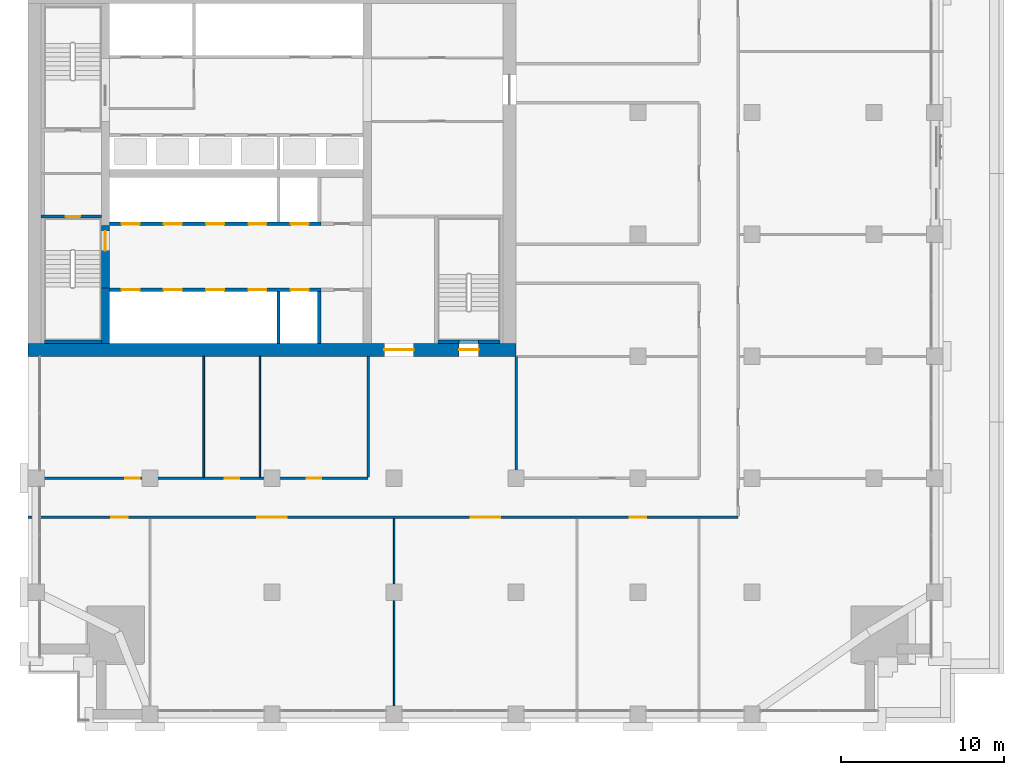
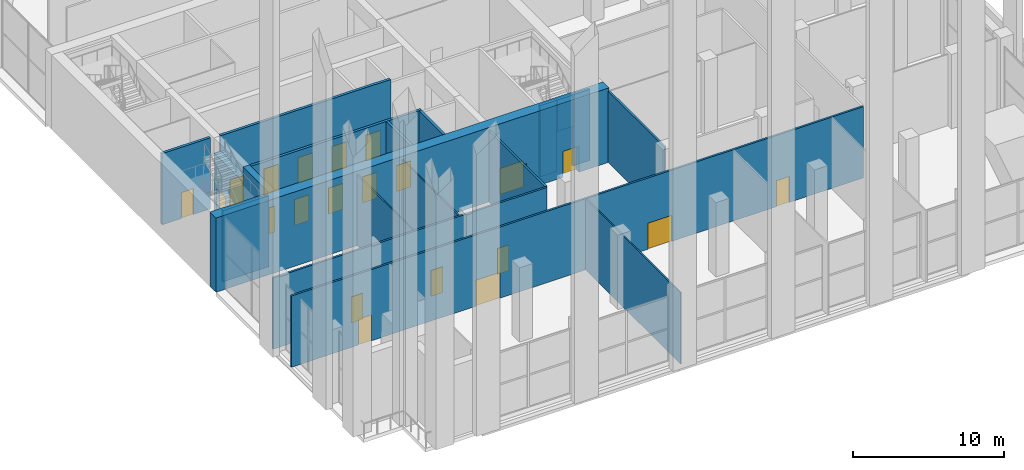
# One storey, part 12 of 23: 21 doors, 19 walls, 21 openings.
"""IFC4 building model written with IfcOpenShell, lengths in metres."""

from ifc_helpers import new_model, si_unit, direction, frame, frame_2d, origin, place, context, subcontext, project, spatial, rectangle, extrude, material, layer, layer_set, type_object, element, fill, save


model = new_model("IFC4")

# Units and contexts
model_context = context("Model", 3, precision=1e-05, world=origin(), true_north=direction((0.0, 1.0)))
body_context = subcontext(model_context, "Body", "Model", "MODEL_VIEW")
ifc_project = project(units=[si_unit("LENGTHUNIT", "METRE"), si_unit("AREAUNIT", "SQUARE_METRE"), si_unit("VOLUMEUNIT", "CUBIC_METRE"), si_unit("PLANEANGLEUNIT", "RADIAN"), si_unit("MASSUNIT", "GRAM", prefix="KILO")], contexts=[model_context])

# Site, building, storey
site_placement = place(None, origin())
site = spatial("IfcSite", under=ifc_project, at=site_placement, CompositionType="ELEMENT")
building_placement = place(site_placement, origin())
building = spatial("IfcBuilding", under=site, at=building_placement, Name="Tamorin Gate", CompositionType="ELEMENT")
storey_placement = place(building_placement, frame((0.0, 0.0, 124.199951171875)))
storey = spatial("IfcBuildingStorey", under=building, at=storey_placement, Name="L30", CompositionType="ELEMENT", Elevation=124.199951171875)

# Wall, openings, doors
ifc_material_1 = material(Name="Gypsum board partition")
ifc_layer_1 = layer(ifc_material_1, 0.14990234375)
ifc_layer_set_1 = layer_set([ifc_layer_1], Name="Corridor wall 150")
wall_type_1 = type_object("IfcWallType", Name="Corridor wall 150", PredefinedType="PARTITIONING", material=ifc_layer_set_1)
wall_1_placement = place(storey_placement, frame((30.0, 50.10009765625, 0.0), z_axis=(0.0, 0.0, 1.0), x_axis=(1.0, 0.0, 0.0)))
wall_1 = element("IfcWall", 1, at=wall_1_placement, inside=storey, type_object=wall_type_1, Name="Corridor wall 150", PredefinedType="PARTITIONING", context=body_context, shape_type="SweptSolid", body=[
    extrude(rectangle(XDim=43.64990234375, YDim=0.14990234375, at=frame_2d((21.824951171875, 0.0))), origin(), (0.0, 0.0, 1.0), 5.75),
])
opening_1_placement = place(wall_1_placement, frame((5.125, 0.0, 0.0)))
opening_1 = element("IfcOpeningElement", 2, at=opening_1_placement, cuts=wall_1, Name="Opening DSL1001", PredefinedType="OPENING", context=body_context, shape_type="SweptSolid", body=[
    extrude(rectangle(XDim=1.0, YDim=2.10009765625, at=frame_2d((0.5, 1.050048828125))), frame((0.0, 0.0849609375, 0.0), z_axis=(0.0, -1.0, 0.0), x_axis=(1.0, 0.0, 0.0)), (0.0, 0.0, 1.0), 0.169921875),
])
opening_2_placement = place(wall_1_placement, frame((14.10009765625, 0.0, 0.0)))
opening_2 = element("IfcOpeningElement", 3, at=opening_2_placement, cuts=wall_1, Name="Opening DSL1002", PredefinedType="OPENING", context=body_context, shape_type="SweptSolid", body=[
    extrude(rectangle(XDim=1.800048828125, YDim=2.10009765625, at=frame_2d((0.89990234375, 1.050048828125))), frame((0.0, 0.0849609375, 0.0), z_axis=(0.0, -1.0, 0.0), x_axis=(1.0, 0.0, 0.0)), (0.0, 0.0, 1.0), 0.169921875),
])
opening_3_placement = place(wall_1_placement, frame((27.22509765625, 0.0, 0.0)))
opening_3 = element("IfcOpeningElement", 4, at=opening_3_placement, cuts=wall_1, Name="Opening DSL1003", PredefinedType="OPENING", context=body_context, shape_type="SweptSolid", body=[
    extrude(rectangle(XDim=1.800048828125, YDim=2.10009765625, at=frame_2d((0.89990234375, 1.050048828125))), frame((0.0, 0.0849609375, 0.0), z_axis=(0.0, -1.0, 0.0), x_axis=(1.0, 0.0, 0.0)), (0.0, 0.0, 1.0), 0.169921875),
])
opening_4_placement = place(wall_1_placement, frame((37.0, 0.0, 0.0)))
opening_4 = element("IfcOpeningElement", 5, at=opening_4_placement, cuts=wall_1, Name="Opening DSL1004", PredefinedType="OPENING", context=body_context, shape_type="SweptSolid", body=[
    extrude(rectangle(XDim=1.0, YDim=2.10009765625, at=frame_2d((0.5, 1.050048828125))), frame((0.0, 0.0849609375, 0.0), z_axis=(0.0, -1.0, 0.0), x_axis=(1.0, 0.0, 0.0)), (0.0, 0.0, 1.0), 0.169921875),
])
ifc_material_2 = material(Name="Timber door leaf", Category="wood")
door_type_1 = type_object("IfcDoorType", Name="Door 1000 x 2100 FD30S", OperationType="NOTDEFINED", PredefinedType="DOOR", material=ifc_material_2)
door_1_placement = place(opening_1_placement, origin())
door_1 = element("IfcDoor", 6, at=door_1_placement, inside=storey, type_object=door_type_1, Name="Door DSL1001", OperationType="SINGLE_SWING_RIGHT", OverallHeight=2.10009765625, OverallWidth=1.0, PredefinedType="DOOR", context=body_context, shape_type="SweptSolid", body=[
    extrude(rectangle(XDim=1.0, YDim=2.10009765625, at=frame_2d((0.5, 1.050048828125))), frame((0.0, 0.02490234375, 0.0), z_axis=(0.0, -1.0, 0.0), x_axis=(1.0, 0.0, 0.0)), (0.0, 0.0, 1.0), 0.050048828125),
])
fill(opening_1, door_1)
door_2_placement = place(opening_4_placement, origin())
door_2 = element("IfcDoor", 7, at=door_2_placement, inside=storey, type_object=door_type_1, Name="Door DSL1004", OperationType="SINGLE_SWING_RIGHT", OverallHeight=2.10009765625, OverallWidth=1.0, PredefinedType="DOOR", context=body_context, shape_type="SweptSolid", body=[
    extrude(rectangle(XDim=1.0, YDim=2.10009765625, at=frame_2d((0.5, 1.050048828125))), frame((0.0, 0.02490234375, 0.0), z_axis=(0.0, -1.0, 0.0), x_axis=(1.0, 0.0, 0.0)), (0.0, 0.0, 1.0), 0.050048828125),
])
fill(opening_4, door_2)
door_type_2 = type_object("IfcDoorType", Name="Door 1800 x 2100 FD30S", OperationType="DOUBLE_DOOR_SINGLE_SWING", PredefinedType="DOOR", material=ifc_material_2)
door_3_placement = place(opening_2_placement, origin())
door_3 = element("IfcDoor", 8, at=door_3_placement, inside=storey, type_object=door_type_2, Name="Door DSL1002", OperationType="DOUBLE_DOOR_SINGLE_SWING", OverallHeight=2.10009765625, OverallWidth=1.800048828125, PredefinedType="DOOR", context=body_context, shape_type="SweptSolid", body=[
    extrude(rectangle(XDim=1.800048828125, YDim=2.10009765625, at=frame_2d((0.89990234375, 1.050048828125))), frame((0.0, 0.02490234375, 0.0), z_axis=(0.0, -1.0, 0.0), x_axis=(1.0, 0.0, 0.0)), (0.0, 0.0, 1.0), 0.050048828125),
])
fill(opening_2, door_3)
door_4_placement = place(opening_3_placement, origin())
door_4 = element("IfcDoor", 9, at=door_4_placement, inside=storey, type_object=door_type_2, Name="Door DSL1003", OperationType="DOUBLE_DOOR_SINGLE_SWING", OverallHeight=2.10009765625, OverallWidth=1.800048828125, PredefinedType="DOOR", context=body_context, shape_type="SweptSolid", body=[
    extrude(rectangle(XDim=1.800048828125, YDim=2.10009765625, at=frame_2d((0.89990234375, 1.050048828125))), frame((0.0, 0.02490234375, 0.0), z_axis=(0.0, -1.0, 0.0), x_axis=(1.0, 0.0, 0.0)), (0.0, 0.0, 1.0), 0.050048828125),
])
fill(opening_3, door_4)

wall_2_placement = place(storey_placement, frame((30.0, 52.5, 0.0), z_axis=(0.0, 0.0, 1.0), x_axis=(1.0, 0.0, 0.0)))
wall_2 = element("IfcWall", 10, at=wall_2_placement, inside=storey, type_object=wall_type_1, Name="Corridor wall 150", PredefinedType="PARTITIONING", context=body_context, shape_type="SweptSolid", body=[
    extrude(rectangle(XDim=20.89990234375, YDim=0.14990234375, at=frame_2d((10.449951171875, 0.0))), origin(), (0.0, 0.0, 1.0), 5.75),
])
opening_5_placement = place(wall_2_placement, frame((5.97509765625, 0.0, 0.0)))
opening_5 = element("IfcOpeningElement", 11, at=opening_5_placement, cuts=wall_2, Name="Opening DSL1015", PredefinedType="OPENING", context=body_context, shape_type="SweptSolid", body=[
    extrude(rectangle(XDim=0.89990234375, YDim=2.10009765625, at=frame_2d((0.449951171875, 1.050048828125))), frame((0.0, 0.0849609375, 0.0), z_axis=(0.0, -1.0, 0.0), x_axis=(1.0, 0.0, 0.0)), (0.0, 0.0, 1.0), 0.169921875),
])
opening_6_placement = place(wall_2_placement, frame((12.074951171875, 0.0, 0.0)))
opening_6 = element("IfcOpeningElement", 12, at=opening_6_placement, cuts=wall_2, Name="Opening DSL1016", PredefinedType="OPENING", context=body_context, shape_type="SweptSolid", body=[
    extrude(rectangle(XDim=0.89990234375, YDim=2.10009765625, at=frame_2d((0.449951171875, 1.050048828125))), frame((0.0, 0.0849609375, 0.0), z_axis=(0.0, -1.0, 0.0), x_axis=(1.0, 0.0, 0.0)), (0.0, 0.0, 1.0), 0.169921875),
])
opening_7_placement = place(wall_2_placement, frame((17.125, 0.0, 0.0)))
opening_7 = element("IfcOpeningElement", 13, at=opening_7_placement, cuts=wall_2, Name="Opening DSL1017", PredefinedType="OPENING", context=body_context, shape_type="SweptSolid", body=[
    extrude(rectangle(XDim=0.89990234375, YDim=2.10009765625, at=frame_2d((0.449951171875, 1.050048828125))), frame((0.0, 0.0849609375, 0.0), z_axis=(0.0, -1.0, 0.0), x_axis=(1.0, 0.0, 0.0)), (0.0, 0.0, 1.0), 0.169921875),
])
door_type_3 = type_object("IfcDoorType", Name="Door 900 x 2100 FD30S", OperationType="NOTDEFINED", PredefinedType="DOOR", material=ifc_material_2)
door_5_placement = place(opening_5_placement, origin())
door_5 = element("IfcDoor", 14, at=door_5_placement, inside=storey, type_object=door_type_3, Name="Door DSL1015", OperationType="SINGLE_SWING_LEFT", OverallHeight=2.10009765625, OverallWidth=0.89990234375, PredefinedType="DOOR", context=body_context, shape_type="SweptSolid", body=[
    extrude(rectangle(XDim=0.89990234375, YDim=2.10009765625, at=frame_2d((0.449951171875, 1.050048828125))), frame((0.0, 0.02490234375, 0.0), z_axis=(0.0, -1.0, 0.0), x_axis=(1.0, 0.0, 0.0)), (0.0, 0.0, 1.0), 0.050048828125),
])
fill(opening_5, door_5)
door_6_placement = place(opening_6_placement, origin())
door_6 = element("IfcDoor", 15, at=door_6_placement, inside=storey, type_object=door_type_3, Name="Door DSL1016", OperationType="SINGLE_SWING_LEFT", OverallHeight=2.10009765625, OverallWidth=0.89990234375, PredefinedType="DOOR", context=body_context, shape_type="SweptSolid", body=[
    extrude(rectangle(XDim=0.89990234375, YDim=2.10009765625, at=frame_2d((0.449951171875, 1.050048828125))), frame((0.0, 0.02490234375, 0.0), z_axis=(0.0, -1.0, 0.0), x_axis=(1.0, 0.0, 0.0)), (0.0, 0.0, 1.0), 0.050048828125),
])
fill(opening_6, door_6)
door_7_placement = place(opening_7_placement, origin())
door_7 = element("IfcDoor", 16, at=door_7_placement, inside=storey, type_object=door_type_3, Name="Door DSL1017", OperationType="SINGLE_SWING_LEFT", OverallHeight=2.10009765625, OverallWidth=0.89990234375, PredefinedType="DOOR", context=body_context, shape_type="SweptSolid", body=[
    extrude(rectangle(XDim=0.89990234375, YDim=2.10009765625, at=frame_2d((0.449951171875, 1.050048828125))), frame((0.0, 0.02490234375, 0.0), z_axis=(0.0, -1.0, 0.0), x_axis=(1.0, 0.0, 0.0)), (0.0, 0.0, 1.0), 0.050048828125),
])
fill(opening_7, door_7)

ifc_material_3 = material(Name="Concrete C32/40", Category="concrete")
ifc_layer_2 = layer(ifc_material_3, 0.199951171875)
ifc_layer_set_2 = layer_set([ifc_layer_2], Name="Lift lobby face wall 200 EI 120")
wall_type_2 = type_object("IfcWallType", Name="Lift lobby face wall 200 EI 120", PredefinedType="SOLIDWALL", material=ifc_layer_set_2)
wall_3_placement = place(storey_placement, frame((35.0, 64.10009765625, 0.0), z_axis=(0.0, 0.0, 1.0), x_axis=(1.0, 0.0, 0.0)))
wall_3 = element("IfcWall", 17, at=wall_3_placement, inside=storey, type_object=wall_type_2, Name="Lift lobby face wall", PredefinedType="SOLIDWALL", context=body_context, shape_type="SweptSolid", body=[
    extrude(rectangle(XDim=13.0, YDim=0.199951171875, at=frame_2d((6.5, 0.0))), origin(), (0.0, 0.0, 1.0), 6.0),
])
opening_8_placement = place(wall_3_placement, frame((0.75, 0.0, 0.0)))
opening_8 = element("IfcOpeningElement", 18, at=opening_8_placement, cuts=wall_3, Name="Opening LD1", PredefinedType="OPENING", context=body_context, shape_type="SweptSolid", body=[
    extrude(rectangle(XDim=1.10009765625, YDim=2.10009765625, at=frame_2d((0.550048828125, 1.050048828125))), frame((0.0, 0.10986328125, 0.0), z_axis=(0.0, -1.0, 0.0), x_axis=(1.0, 0.0, 0.0)), (0.0, 0.0, 1.0), 0.219970703125),
])
opening_9_placement = place(wall_3_placement, frame((3.35009765625, 0.0, 0.0)))
opening_9 = element("IfcOpeningElement", 19, at=opening_9_placement, cuts=wall_3, Name="Opening LD2", PredefinedType="OPENING", context=body_context, shape_type="SweptSolid", body=[
    extrude(rectangle(XDim=1.10009765625, YDim=2.10009765625, at=frame_2d((0.550048828125, 1.050048828125))), frame((0.0, 0.10986328125, 0.0), z_axis=(0.0, -1.0, 0.0), x_axis=(1.0, 0.0, 0.0)), (0.0, 0.0, 1.0), 0.219970703125),
])
opening_10_placement = place(wall_3_placement, frame((5.949951171875, 0.0, 0.0)))
opening_10 = element("IfcOpeningElement", 20, at=opening_10_placement, cuts=wall_3, Name="Opening LD3", PredefinedType="OPENING", context=body_context, shape_type="SweptSolid", body=[
    extrude(rectangle(XDim=1.10009765625, YDim=2.10009765625, at=frame_2d((0.550048828125, 1.050048828125))), frame((0.0, 0.10986328125, 0.0), z_axis=(0.0, -1.0, 0.0), x_axis=(1.0, 0.0, 0.0)), (0.0, 0.0, 1.0), 0.219970703125),
])
opening_11_placement = place(wall_3_placement, frame((8.550048828125, 0.0, 0.0)))
opening_11 = element("IfcOpeningElement", 21, at=opening_11_placement, cuts=wall_3, Name="Opening LD4", PredefinedType="OPENING", context=body_context, shape_type="SweptSolid", body=[
    extrude(rectangle(XDim=1.10009765625, YDim=2.10009765625, at=frame_2d((0.550048828125, 1.050048828125))), frame((0.0, 0.10986328125, 0.0), z_axis=(0.0, -1.0, 0.0), x_axis=(1.0, 0.0, 0.0)), (0.0, 0.0, 1.0), 0.219970703125),
])
opening_12_placement = place(wall_3_placement, frame((11.14990234375, 0.0, 0.0)))
opening_12 = element("IfcOpeningElement", 22, at=opening_12_placement, cuts=wall_3, Name="Opening LD5", PredefinedType="OPENING", context=body_context, shape_type="SweptSolid", body=[
    extrude(rectangle(XDim=1.10009765625, YDim=2.10009765625, at=frame_2d((0.550048828125, 1.050048828125))), frame((0.0, 0.10986328125, 0.0), z_axis=(0.0, -1.0, 0.0), x_axis=(1.0, 0.0, 0.0)), (0.0, 0.0, 1.0), 0.219970703125),
])
ifc_material_4 = material(Name="Stainless steel sliding door", Category="steel")
door_type_4 = type_object("IfcDoorType", Name="Lift landing door 1100 x 2100 E 90", OperationType="DOUBLE_DOOR_SLIDING", PredefinedType="DOOR", material=ifc_material_4)
door_8_placement = place(opening_8_placement, origin())
door_8 = element("IfcDoor", 23, at=door_8_placement, inside=storey, type_object=door_type_4, Name="LR1 landing door", OperationType="DOUBLE_DOOR_SLIDING", OverallHeight=2.10009765625, OverallWidth=1.10009765625, PredefinedType="DOOR", context=body_context, shape_type="SweptSolid", body=[
    extrude(rectangle(XDim=1.10009765625, YDim=2.10009765625, at=frame_2d((0.550048828125, 1.050048828125))), frame((0.0, 0.02490234375, 0.0), z_axis=(0.0, -1.0, 0.0), x_axis=(1.0, 0.0, 0.0)), (0.0, 0.0, 1.0), 0.050048828125),
])
fill(opening_8, door_8)
door_9_placement = place(opening_9_placement, origin())
door_9 = element("IfcDoor", 24, at=door_9_placement, inside=storey, type_object=door_type_4, Name="LR2 landing door", OperationType="DOUBLE_DOOR_SLIDING", OverallHeight=2.10009765625, OverallWidth=1.10009765625, PredefinedType="DOOR", context=body_context, shape_type="SweptSolid", body=[
    extrude(rectangle(XDim=1.10009765625, YDim=2.10009765625, at=frame_2d((0.550048828125, 1.050048828125))), frame((0.0, 0.02490234375, 0.0), z_axis=(0.0, -1.0, 0.0), x_axis=(1.0, 0.0, 0.0)), (0.0, 0.0, 1.0), 0.050048828125),
])
fill(opening_9, door_9)
door_10_placement = place(opening_10_placement, origin())
door_10 = element("IfcDoor", 25, at=door_10_placement, inside=storey, type_object=door_type_4, Name="LR3 landing door", OperationType="DOUBLE_DOOR_SLIDING", OverallHeight=2.10009765625, OverallWidth=1.10009765625, PredefinedType="DOOR", context=body_context, shape_type="SweptSolid", body=[
    extrude(rectangle(XDim=1.10009765625, YDim=2.10009765625, at=frame_2d((0.550048828125, 1.050048828125))), frame((0.0, 0.02490234375, 0.0), z_axis=(0.0, -1.0, 0.0), x_axis=(1.0, 0.0, 0.0)), (0.0, 0.0, 1.0), 0.050048828125),
])
fill(opening_10, door_10)
door_11_placement = place(opening_11_placement, origin())
door_11 = element("IfcDoor", 26, at=door_11_placement, inside=storey, type_object=door_type_4, Name="LR4 landing door", OperationType="DOUBLE_DOOR_SLIDING", OverallHeight=2.10009765625, OverallWidth=1.10009765625, PredefinedType="DOOR", context=body_context, shape_type="SweptSolid", body=[
    extrude(rectangle(XDim=1.10009765625, YDim=2.10009765625, at=frame_2d((0.550048828125, 1.050048828125))), frame((0.0, 0.02490234375, 0.0), z_axis=(0.0, -1.0, 0.0), x_axis=(1.0, 0.0, 0.0)), (0.0, 0.0, 1.0), 0.050048828125),
])
fill(opening_11, door_11)
door_12_placement = place(opening_12_placement, origin())
door_12 = element("IfcDoor", 27, at=door_12_placement, inside=storey, type_object=door_type_4, Name="LR5 landing door", OperationType="DOUBLE_DOOR_SLIDING", OverallHeight=2.10009765625, OverallWidth=1.10009765625, PredefinedType="DOOR", context=body_context, shape_type="SweptSolid", body=[
    extrude(rectangle(XDim=1.10009765625, YDim=2.10009765625, at=frame_2d((0.550048828125, 1.050048828125))), frame((0.0, 0.02490234375, 0.0), z_axis=(0.0, -1.0, 0.0), x_axis=(1.0, 0.0, 0.0)), (0.0, 0.0, 1.0), 0.050048828125),
])
fill(opening_12, door_12)

wall_4_placement = place(storey_placement, frame((35.0, 68.14990234375, 0.0), z_axis=(0.0, 0.0, 1.0), x_axis=(1.0, 0.0, 0.0)))
wall_4 = element("IfcWall", 28, at=wall_4_placement, inside=storey, type_object=wall_type_2, Name="Lift lobby face wall", PredefinedType="SOLIDWALL", context=body_context, shape_type="SweptSolid", body=[
    extrude(rectangle(XDim=13.0, YDim=0.199951171875, at=frame_2d((6.5, 0.0))), origin(), (0.0, 0.0, 1.0), 6.0),
])
opening_13_placement = place(wall_4_placement, frame((0.75, 0.0, 0.0)))
opening_13 = element("IfcOpeningElement", 29, at=opening_13_placement, cuts=wall_4, Name="Opening LD6", PredefinedType="OPENING", context=body_context, shape_type="SweptSolid", body=[
    extrude(rectangle(XDim=1.10009765625, YDim=2.10009765625, at=frame_2d((0.550048828125, 1.050048828125))), frame((0.0, 0.10986328125, 0.0), z_axis=(0.0, -1.0, 0.0), x_axis=(1.0, 0.0, 0.0)), (0.0, 0.0, 1.0), 0.219970703125),
])
opening_14_placement = place(wall_4_placement, frame((3.35009765625, 0.0, 0.0)))
opening_14 = element("IfcOpeningElement", 30, at=opening_14_placement, cuts=wall_4, Name="Opening LD7", PredefinedType="OPENING", context=body_context, shape_type="SweptSolid", body=[
    extrude(rectangle(XDim=1.10009765625, YDim=2.10009765625, at=frame_2d((0.550048828125, 1.050048828125))), frame((0.0, 0.10986328125, 0.0), z_axis=(0.0, -1.0, 0.0), x_axis=(1.0, 0.0, 0.0)), (0.0, 0.0, 1.0), 0.219970703125),
])
opening_15_placement = place(wall_4_placement, frame((5.949951171875, 0.0, 0.0)))
opening_15 = element("IfcOpeningElement", 31, at=opening_15_placement, cuts=wall_4, Name="Opening LD8", PredefinedType="OPENING", context=body_context, shape_type="SweptSolid", body=[
    extrude(rectangle(XDim=1.10009765625, YDim=2.10009765625, at=frame_2d((0.550048828125, 1.050048828125))), frame((0.0, 0.10986328125, 0.0), z_axis=(0.0, -1.0, 0.0), x_axis=(1.0, 0.0, 0.0)), (0.0, 0.0, 1.0), 0.219970703125),
])
opening_16_placement = place(wall_4_placement, frame((8.550048828125, 0.0, 0.0)))
opening_16 = element("IfcOpeningElement", 32, at=opening_16_placement, cuts=wall_4, Name="Opening LD9", PredefinedType="OPENING", context=body_context, shape_type="SweptSolid", body=[
    extrude(rectangle(XDim=1.10009765625, YDim=2.10009765625, at=frame_2d((0.550048828125, 1.050048828125))), frame((0.0, 0.10986328125, 0.0), z_axis=(0.0, -1.0, 0.0), x_axis=(1.0, 0.0, 0.0)), (0.0, 0.0, 1.0), 0.219970703125),
])
opening_17_placement = place(wall_4_placement, frame((11.14990234375, 0.0, 0.0)))
opening_17 = element("IfcOpeningElement", 33, at=opening_17_placement, cuts=wall_4, Name="Opening LD10", PredefinedType="OPENING", context=body_context, shape_type="SweptSolid", body=[
    extrude(rectangle(XDim=1.10009765625, YDim=2.10009765625, at=frame_2d((0.550048828125, 1.050048828125))), frame((0.0, 0.10986328125, 0.0), z_axis=(0.0, -1.0, 0.0), x_axis=(1.0, 0.0, 0.0)), (0.0, 0.0, 1.0), 0.219970703125),
])
door_13_placement = place(opening_13_placement, origin())
door_13 = element("IfcDoor", 34, at=door_13_placement, inside=storey, type_object=door_type_4, Name="LR6 landing door", OperationType="DOUBLE_DOOR_SLIDING", OverallHeight=2.10009765625, OverallWidth=1.10009765625, PredefinedType="DOOR", context=body_context, shape_type="SweptSolid", body=[
    extrude(rectangle(XDim=1.10009765625, YDim=2.10009765625, at=frame_2d((0.550048828125, 1.050048828125))), frame((0.0, 0.02490234375, 0.0), z_axis=(0.0, -1.0, 0.0), x_axis=(1.0, 0.0, 0.0)), (0.0, 0.0, 1.0), 0.050048828125),
])
fill(opening_13, door_13)
door_14_placement = place(opening_14_placement, origin())
door_14 = element("IfcDoor", 35, at=door_14_placement, inside=storey, type_object=door_type_4, Name="SH1 landing door", OperationType="DOUBLE_DOOR_SLIDING", OverallHeight=2.10009765625, OverallWidth=1.10009765625, PredefinedType="DOOR", context=body_context, shape_type="SweptSolid", body=[
    extrude(rectangle(XDim=1.10009765625, YDim=2.10009765625, at=frame_2d((0.550048828125, 1.050048828125))), frame((0.0, 0.02490234375, 0.0), z_axis=(0.0, -1.0, 0.0), x_axis=(1.0, 0.0, 0.0)), (0.0, 0.0, 1.0), 0.050048828125),
])
fill(opening_14, door_14)
door_15_placement = place(opening_15_placement, origin())
door_15 = element("IfcDoor", 36, at=door_15_placement, inside=storey, type_object=door_type_4, Name="SH2 landing door", OperationType="DOUBLE_DOOR_SLIDING", OverallHeight=2.10009765625, OverallWidth=1.10009765625, PredefinedType="DOOR", context=body_context, shape_type="SweptSolid", body=[
    extrude(rectangle(XDim=1.10009765625, YDim=2.10009765625, at=frame_2d((0.550048828125, 1.050048828125))), frame((0.0, 0.02490234375, 0.0), z_axis=(0.0, -1.0, 0.0), x_axis=(1.0, 0.0, 0.0)), (0.0, 0.0, 1.0), 0.050048828125),
])
fill(opening_15, door_15)
door_16_placement = place(opening_16_placement, origin())
door_16 = element("IfcDoor", 37, at=door_16_placement, inside=storey, type_object=door_type_4, Name="SH3 landing door", OperationType="DOUBLE_DOOR_SLIDING", OverallHeight=2.10009765625, OverallWidth=1.10009765625, PredefinedType="DOOR", context=body_context, shape_type="SweptSolid", body=[
    extrude(rectangle(XDim=1.10009765625, YDim=2.10009765625, at=frame_2d((0.550048828125, 1.050048828125))), frame((0.0, 0.02490234375, 0.0), z_axis=(0.0, -1.0, 0.0), x_axis=(1.0, 0.0, 0.0)), (0.0, 0.0, 1.0), 0.050048828125),
])
fill(opening_16, door_16)
door_17_placement = place(opening_17_placement, origin())
door_17 = element("IfcDoor", 38, at=door_17_placement, inside=storey, type_object=door_type_4, Name="SH4 landing door", OperationType="DOUBLE_DOOR_SLIDING", OverallHeight=2.10009765625, OverallWidth=1.10009765625, PredefinedType="DOOR", context=body_context, shape_type="SweptSolid", body=[
    extrude(rectangle(XDim=1.10009765625, YDim=2.10009765625, at=frame_2d((0.550048828125, 1.050048828125))), frame((0.0, 0.02490234375, 0.0), z_axis=(0.0, -1.0, 0.0), x_axis=(1.0, 0.0, 0.0)), (0.0, 0.0, 1.0), 0.050048828125),
])
fill(opening_17, door_17)

# Walls
ifc_layer_3 = layer(ifc_material_3, 0.199951171875)
ifc_layer_set_3 = layer_set([ifc_layer_3], Name="Lift shaft wall 200 EI 120")
wall_type_3 = type_object("IfcWallType", Name="Lift shaft wall 200 EI 120", PredefinedType="SOLIDWALL", material=ifc_layer_set_3)
for number, where, z_axis, x_axis, name in (
    (39, (45.39990234375, 60.800048828125, 0.0), (0.0, 0.0, 1.0), (0.0, 1.0, 0.0), "Lift shaft wall"),
    (40, (47.89990234375, 60.800048828125, 0.0), (0.0, 0.0, 1.0), (0.0, 1.0, 0.0), "Lift shaft wall"),
):
    element("IfcWall", number, at=place(storey_placement, frame(where, z_axis=z_axis, x_axis=x_axis)), inside=storey, type_object=wall_type_3, Name=name, PredefinedType="SOLIDWALL", context=body_context, shape_type="SweptSolid", body=[
        extrude(rectangle(XDim=3.199951171875, YDim=0.199951171875, at=frame_2d((1.60009765625, 0.0))), origin(), (0.0, 0.0, 1.0), 6.0),
    ])
ifc_layer_4 = layer(ifc_material_1, 0.14990234375)
ifc_layer_set_4 = layer_set([ifc_layer_4], Name="Lobby wall 150")
wall_type_4 = type_object("IfcWallType", Name="Lobby wall 150", PredefinedType="PARTITIONING", material=ifc_layer_set_4)
for number, where, z_axis, x_axis, name in (
    (41, (50.89990234375, 52.574951171875, 0.0), (0.0, 0.0, 1.0), (0.0, 1.0, 0.0), "Lobby wall 150"),
    (42, (60.0, 52.574951171875, 0.0), (0.0, 0.0, 1.0), (0.0, 1.0, 0.0), "Lobby wall 150"),
):
    element("IfcWall", number, at=place(storey_placement, frame(where, z_axis=z_axis, x_axis=x_axis)), inside=storey, type_object=wall_type_4, Name=name, PredefinedType="PARTITIONING", context=body_context, shape_type="SweptSolid", body=[
        extrude(rectangle(XDim=7.425048828125, YDim=0.14990234375, at=frame_2d((3.71240234375, 0.0))), origin(), (0.0, 0.0, 1.0), 5.75),
    ])
ifc_material_5 = material(Name="Concrete C60/75", Category="concrete")
ifc_layer_5 = layer(ifc_material_5, 0.5)
ifc_layer_set_5 = layer_set([ifc_layer_5], Name="RC core internal wall 500 C60/75")
wall_type_5 = type_object("IfcWallType", Name="RC core internal wall 500 C60/75", PredefinedType="SHEAR", material=ifc_layer_set_5)
wall_5_placement = place(storey_placement, frame((34.75, 60.800048828125, 0.0), z_axis=(0.0, 0.0, 1.0), x_axis=(0.0, 1.0, 0.0)))
element("IfcWall", 43, at=wall_5_placement, inside=storey, type_object=wall_type_5, Name="Core cross wall L30", PredefinedType="SHEAR", context=body_context, shape_type="SweptSolid", body=[
    extrude(rectangle(XDim=3.39990234375, YDim=0.5, at=frame_2d((1.699951171875, 0.0))), origin(), (0.0, 0.0, 1.0), 6.0),
])

# Wall, openings, doors
ifc_layer_6 = layer(ifc_material_5, 0.800048828125)
ifc_layer_set_6 = layer_set([ifc_layer_6], Name="RC core wall 800 C60/75")
wall_type_6 = type_object("IfcWallType", Name="RC core wall 800 C60/75", PredefinedType="SHEAR", material=ifc_layer_set_6)
wall_6_placement = place(storey_placement, frame((30.0, 60.39990234375, 0.0), z_axis=(0.0, 0.0, 1.0), x_axis=(1.0, 0.0, 0.0)))
wall_6 = element("IfcWall", 44, at=wall_6_placement, inside=storey, type_object=wall_type_6, Name="Core wall L30", PredefinedType="SHEAR", context=body_context, shape_type="SweptSolid", body=[
    extrude(rectangle(XDim=30.0, YDim=0.800048828125, at=frame_2d((15.0, 0.0))), origin(), (0.0, 0.0, 1.0), 6.0),
])
opening_18_placement = place(wall_6_placement, frame((21.89990234375, 0.0, 0.0)))
opening_18 = element("IfcOpeningElement", 45, at=opening_18_placement, cuts=wall_6, Name="Opening DE1", PredefinedType="OPENING", context=body_context, shape_type="SweptSolid", body=[
    extrude(rectangle(XDim=1.800048828125, YDim=2.10009765625, at=frame_2d((0.89990234375, 1.050048828125))), frame((0.0, 0.409912109375, 0.0), z_axis=(0.0, -1.0, 0.0), x_axis=(1.0, 0.0, 0.0)), (0.0, 0.0, 1.0), 0.820068359375),
])
opening_19_placement = place(wall_6_placement, frame((26.5, 0.0, 0.0)))
opening_19 = element("IfcOpeningElement", 46, at=opening_19_placement, cuts=wall_6, Name="Opening DS1", PredefinedType="OPENING", context=body_context, shape_type="SweptSolid", body=[
    extrude(rectangle(XDim=1.199951171875, YDim=2.10009765625, at=frame_2d((0.60009765625, 1.050048828125))), frame((0.0, 0.409912109375, 0.0), z_axis=(0.0, -1.0, 0.0), x_axis=(1.0, 0.0, 0.0)), (0.0, 0.0, 1.0), 0.820068359375),
])
ifc_material_6 = material(Name="Steel fire door", Category="steel")
door_type_5 = type_object("IfcDoorType", Name="Lobby exit double door 1800 x 2100 EI 60", OperationType="DOUBLE_DOOR_SINGLE_SWING", PredefinedType="DOOR", material=ifc_material_6)
door_18_placement = place(opening_18_placement, origin())
door_18 = element("IfcDoor", 47, at=door_18_placement, inside=storey, type_object=door_type_5, Name="Lift lobby A exit door", OperationType="DOUBLE_DOOR_SINGLE_SWING", OverallHeight=2.10009765625, OverallWidth=1.800048828125, PredefinedType="DOOR", context=body_context, shape_type="SweptSolid", body=[
    extrude(rectangle(XDim=1.800048828125, YDim=2.10009765625, at=frame_2d((0.89990234375, 1.050048828125))), frame((0.0, 0.02490234375, 0.0), z_axis=(0.0, -1.0, 0.0), x_axis=(1.0, 0.0, 0.0)), (0.0, 0.0, 1.0), 0.050048828125),
])
fill(opening_18, door_18)
door_type_6 = type_object("IfcDoorType", Name="Stair door 1200 x 2100 EI 90", OperationType="SINGLE_SWING_LEFT", PredefinedType="DOOR", material=ifc_material_6)
door_19_placement = place(opening_19_placement, origin())
door_19 = element("IfcDoor", 48, at=door_19_placement, inside=storey, type_object=door_type_6, Name="ST3 door", OperationType="SINGLE_SWING_LEFT", OverallHeight=2.10009765625, OverallWidth=1.199951171875, PredefinedType="DOOR", context=body_context, shape_type="SweptSolid", body=[
    extrude(rectangle(XDim=1.199951171875, YDim=2.10009765625, at=frame_2d((0.60009765625, 1.050048828125))), frame((0.0, 0.02490234375, 0.0), z_axis=(0.0, -1.0, 0.0), x_axis=(1.0, 0.0, 0.0)), (0.0, 0.0, 1.0), 0.050048828125),
])
fill(opening_19, door_19)

# Walls
ifc_layer_7 = layer(ifc_material_1, 0.10009765625)
ifc_layer_set_7 = layer_set([ifc_layer_7], Name="Room partition 100")
wall_type_7 = type_object("IfcWallType", Name="Room partition 100", PredefinedType="PARTITIONING", material=ifc_layer_set_7)
for number, where, z_axis, x_axis, name in (
    (49, (40.800048828125, 52.574951171875, 0.0), (0.0, 0.0, 1.0), (0.0, 1.0, 0.0), "Room partition 100"),
    (50, (44.25, 52.574951171875, 0.0), (0.0, 0.0, 1.0), (0.0, 1.0, 0.0), "Room partition 100"),
):
    element("IfcWall", number, at=place(storey_placement, frame(where, z_axis=z_axis, x_axis=x_axis)), inside=storey, type_object=wall_type_7, Name=name, PredefinedType="PARTITIONING", context=body_context, shape_type="SweptSolid", body=[
        extrude(rectangle(XDim=7.425048828125, YDim=0.10009765625, at=frame_2d((3.71240234375, 0.0))), origin(), (0.0, 0.0, 1.0), 5.75),
    ])
wall_7_placement = place(storey_placement, frame((52.5, 37.5, 0.0), z_axis=(0.0, 0.0, 1.0), x_axis=(0.0, 1.0, 0.0)))
element("IfcWall", 51, at=wall_7_placement, inside=storey, type_object=wall_type_7, Name="Room partition 100", PredefinedType="PARTITIONING", context=body_context, shape_type="SweptSolid", body=[
    extrude(rectangle(XDim=12.52490234375, YDim=0.10009765625, at=frame_2d((6.262451171875, 0.0))), origin(), (0.0, 0.0, 1.0), 5.75),
])

# Wall, opening, door
ifc_material_7 = material(Name="Concrete C40/50", Category="concrete")
ifc_layer_8 = layer(ifc_material_7, 0.199951171875)
ifc_layer_set_8 = layer_set([ifc_layer_8], Name="Stair enclosure wall 200 EI 120 C40/50")
wall_type_8 = type_object("IfcWallType", Name="Stair enclosure wall 200 EI 120 C40/50", PredefinedType="SOLIDWALL", material=ifc_layer_set_8)
wall_8_placement = place(storey_placement, frame((30.800048828125, 68.60009765625, 0.0), z_axis=(0.0, 0.0, 1.0), x_axis=(1.0, 0.0, 0.0)))
wall_8 = element("IfcWall", 52, at=wall_8_placement, inside=storey, type_object=wall_type_8, Name="Stair enclosure wall", PredefinedType="SOLIDWALL", context=body_context, shape_type="SweptSolid", body=[
    extrude(rectangle(XDim=3.699951171875, YDim=0.199951171875, at=frame_2d((1.85009765625, 0.0))), origin(), (0.0, 0.0, 1.0), 5.75),
])
opening_20_placement = place(wall_8_placement, frame((1.5, 0.0, 0.0)))
opening_20 = element("IfcOpeningElement", 53, at=opening_20_placement, cuts=wall_8, Name="Opening DR1", PredefinedType="OPENING", context=body_context, shape_type="SweptSolid", body=[
    extrude(rectangle(XDim=0.89990234375, YDim=2.10009765625, at=frame_2d((0.449951171875, 1.050048828125))), frame((0.0, 0.10986328125, 0.0), z_axis=(0.0, -1.0, 0.0), x_axis=(1.0, 0.0, 0.0)), (0.0, 0.0, 1.0), 0.219970703125),
])
door_type_7 = type_object("IfcDoorType", Name="Riser access door 900 x 2100 EI 120", OperationType="SINGLE_SWING_LEFT", PredefinedType="DOOR", material=ifc_material_6)
door_20_placement = place(opening_20_placement, origin())
door_20 = element("IfcDoor", 54, at=door_20_placement, inside=storey, type_object=door_type_7, Name="Electrical riser door", OperationType="SINGLE_SWING_LEFT", OverallHeight=2.10009765625, OverallWidth=0.89990234375, PredefinedType="DOOR", context=body_context, shape_type="SweptSolid", body=[
    extrude(rectangle(XDim=0.89990234375, YDim=2.10009765625, at=frame_2d((0.449951171875, 1.050048828125))), frame((0.0, 0.02490234375, 0.0), z_axis=(0.0, -1.0, 0.0), x_axis=(1.0, 0.0, 0.0)), (0.0, 0.0, 1.0), 0.050048828125),
])
fill(opening_20, door_20)

# Walls
ifc_layer_9 = layer(ifc_material_5, 0.199951171875)
ifc_layer_set_9 = layer_set([ifc_layer_9], Name="Stair lining wall 200 EI 120 C60/75")
wall_type_9 = type_object("IfcWallType", Name="Stair lining wall 200 EI 120 C60/75", PredefinedType="SOLIDWALL", material=ifc_layer_set_9)
wall_9_placement = place(storey_placement, frame((31.0, 60.89990234375, 0.0), z_axis=(0.0, 0.0, 1.0), x_axis=(1.0, 0.0, 0.0)))
element("IfcWall", 55, at=wall_9_placement, inside=storey, type_object=wall_type_9, Name="Stair lining wall", PredefinedType="SOLIDWALL", context=body_context, shape_type="SweptSolid", body=[
    extrude(rectangle(XDim=3.5, YDim=0.199951171875, at=frame_2d((1.75, 0.0))), origin(), (0.0, 0.0, 1.0), 5.75),
])
for number, where, z_axis, x_axis, name in (
    (56, (55.199951171875, 60.89990234375, 0.0), (0.0, 0.0, 1.0), (1.0, 0.0, 0.0), "Stair lining wall"),
    (57, (57.699951171875, 60.89990234375, 0.0), (0.0, 0.0, 1.0), (1.0, 0.0, 0.0), "Stair lining wall"),
):
    element("IfcWall", number, at=place(storey_placement, frame(where, z_axis=z_axis, x_axis=x_axis)), inside=storey, type_object=wall_type_9, Name=name, PredefinedType="SOLIDWALL", context=body_context, shape_type="SweptSolid", body=[
        extrude(rectangle(XDim=1.300048828125, YDim=0.199951171875, at=frame_2d((0.64990234375, 0.0))), origin(), (0.0, 0.0, 1.0), 5.75),
    ])
wall_10_placement = place(storey_placement, frame((56.5, 60.89990234375, 3.199951171875), z_axis=(0.0, 0.0, 1.0), x_axis=(1.0, 0.0, 0.0)))
element("IfcWall", 58, at=wall_10_placement, inside=storey, type_object=wall_type_9, Name="Stair lining wall", PredefinedType="SOLIDWALL", context=body_context, shape_type="SweptSolid", body=[
    extrude(rectangle(XDim=1.199951171875, YDim=0.199951171875, at=frame_2d((0.60009765625, 0.0))), origin(), (0.0, 0.0, 1.0), 2.550048828125),
])

# Wall, opening, door
ifc_layer_10 = layer(ifc_material_3, 0.5)
ifc_layer_set_10 = layer_set([ifc_layer_10], Name="Stair lobby infill wall 500 EI 120")
wall_type_10 = type_object("IfcWallType", Name="Stair lobby infill wall 500 EI 120", PredefinedType="SOLIDWALL", material=ifc_layer_set_10)
wall_11_placement = place(storey_placement, frame((34.75, 64.199951171875, 0.0), z_axis=(0.0, 0.0, 1.0), x_axis=(0.0, 1.0, 0.0)))
wall_11 = element("IfcWall", 59, at=wall_11_placement, inside=storey, type_object=wall_type_10, Name="Stair lobby infill wall", PredefinedType="SOLIDWALL", context=body_context, shape_type="SweptSolid", body=[
    extrude(rectangle(XDim=3.85009765625, YDim=0.5, at=frame_2d((1.925048828125, 0.0))), origin(), (0.0, 0.0, 1.0), 4.800048828125),
])
opening_21_placement = place(wall_11_placement, frame((2.300048828125, 0.0, 0.0)))
opening_21 = element("IfcOpeningElement", 60, at=opening_21_placement, cuts=wall_11, Name="Opening DS1", PredefinedType="OPENING", context=body_context, shape_type="SweptSolid", body=[
    extrude(rectangle(XDim=1.199951171875, YDim=2.10009765625, at=frame_2d((0.60009765625, 1.050048828125))), frame((0.0, 0.260009765625, 0.0), z_axis=(0.0, -1.0, 0.0), x_axis=(1.0, 0.0, 0.0)), (0.0, 0.0, 1.0), 0.52001953125),
])
door_21_placement = place(opening_21_placement, origin())
door_21 = element("IfcDoor", 61, at=door_21_placement, inside=storey, type_object=door_type_6, Name="ST1 door", OperationType="SINGLE_SWING_LEFT", OverallHeight=2.10009765625, OverallWidth=1.199951171875, PredefinedType="DOOR", context=body_context, shape_type="SweptSolid", body=[
    extrude(rectangle(XDim=1.199951171875, YDim=2.10009765625, at=frame_2d((0.60009765625, 1.050048828125))), frame((0.0, 0.02490234375, 0.0), z_axis=(0.0, -1.0, 0.0), x_axis=(1.0, 0.0, 0.0)), (0.0, 0.0, 1.0), 0.050048828125),
])
fill(opening_21, door_21)

save(model, "model.ifc")
